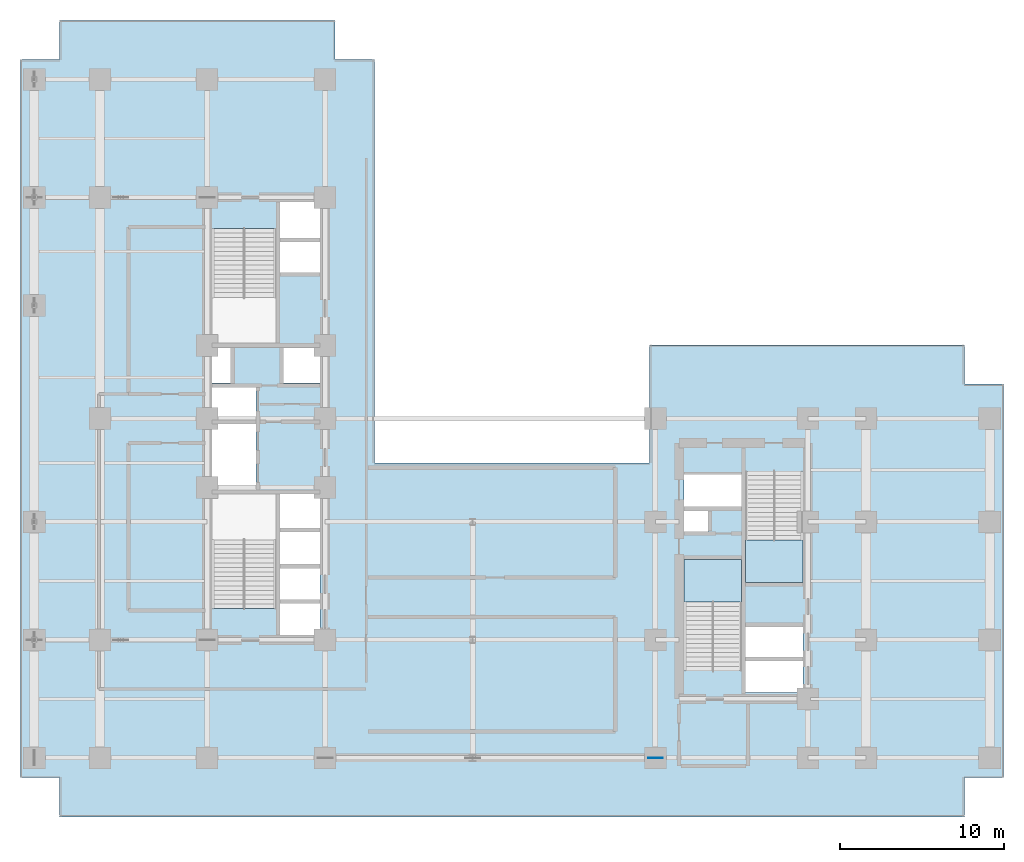
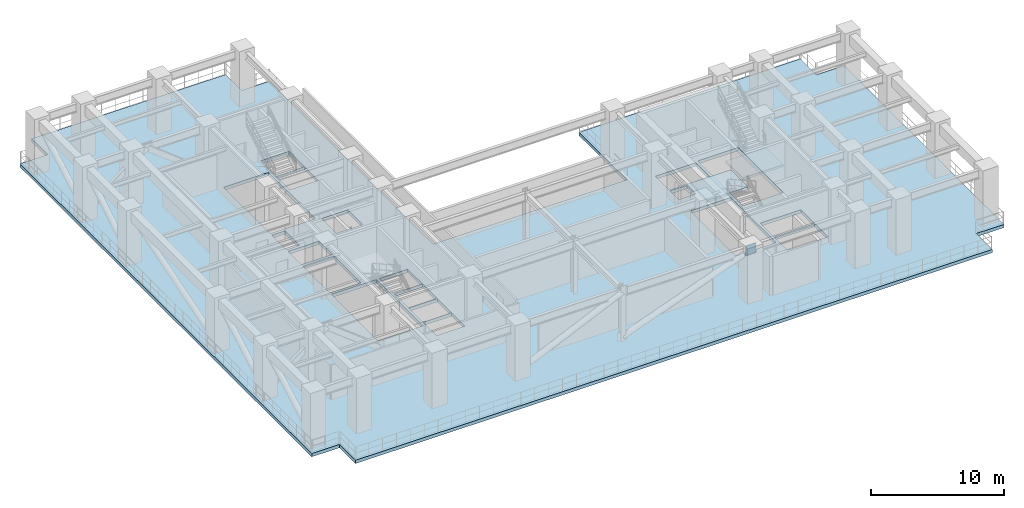
# One storey, part 5 of 15: 3 slabs, 1 plate, 2 elements without a shape of their own.
"""IFC4 building model written with IfcOpenShell, lengths in metres."""

import ifcopenshell
import ifcopenshell.guid

model = None  # the IFC model being written
_history = None  # IfcOwnerHistory: only IFC2X3 demands one
_inside = {}  # id of a spatial element -> (the spatial element, [elements in it])
_under = {}  # id of a project, library or spatial element -> (it, [spatial elements below it])
_declared = {}  # id of a project -> (the project, [libraries it declares])
_typed = {}  # id of a type object -> (the type object, [elements of that type])
_made_of = {}  # id of a material, layer set ... -> (it, [elements and type objects made of it])


def new_model(schema):
    """Start an empty IFC model of exactly this schema.

    Asked for "IFC4X3", IfcOpenShell would pick the latest addendum, in which some entities
    have other attributes; the version numbers below select the first issue.
    IFC2X3 requires an IfcOwnerHistory on every rooted entity: one is made here for all.
    """
    global model, _history
    if schema == "IFC4X3":
        model = ifcopenshell.file(schema_version=(4, 3, 0, 0))
    else:
        model = ifcopenshell.file(schema=schema)
    _inside.clear()
    _under.clear()
    _declared.clear()
    _typed.clear()
    _made_of.clear()
    _history = None
    if model.schema == "IFC2X3":
        org = make("IfcOrganization", Name="unknown")
        user = make(
            "IfcPersonAndOrganization",
            ThePerson=make("IfcPerson", FamilyName="unknown"),
            TheOrganization=org,
        )
        app = make(
            "IfcApplication",
            ApplicationDeveloper=org,
            Version="unknown",
            ApplicationFullName="unknown",
            ApplicationIdentifier="unknown",
        )
        _history = make(
            "IfcOwnerHistory",
            OwningUser=user,
            OwningApplication=app,
            ChangeAction="ADDED",
            CreationDate=0,
        )
    return model


def make(cls, **values):
    """One entity of the class cls with the attributes given. An attribute that is None is left unset."""
    return model.create_entity(
        cls, **{name: value for name, value in values.items() if value is not None}
    )


def entity(cls, *values):
    """Any entity or typed value of the class cls, its attributes in the order of the schema. None: left unset."""
    e = model.create_entity(cls)
    for i, value in enumerate(values):
        if value is not None:
            e[i] = value
    return e


def rooted(cls, **values):
    """An entity with a GlobalId (a new one), such as an element, a storey or a relation."""
    return make(cls, GlobalId=ifcopenshell.guid.new(), OwnerHistory=_history, **values)


def si_unit(unit_type, name, prefix=None):
    """IfcSIUnit, for example si_unit("LENGTHUNIT", "METRE", prefix="MILLI")."""
    return make("IfcSIUnit", UnitType=unit_type, Prefix=prefix, Name=name)


def converted_unit(unit_type, name, factor, base, dimensions=None, offset=None):
    """IfcConversionBasedUnit, such as the inch: factor (a typed value) times the base unit."""
    return make(
        "IfcConversionBasedUnit"
        if offset is None
        else "IfcConversionBasedUnitWithOffset",
        ConversionOffset=offset,
        Dimensions=None
        if dimensions is None
        else entity("IfcDimensionalExponents", *dimensions),
        UnitType=unit_type,
        Name=name,
        ConversionFactor=make(
            "IfcMeasureWithUnit", ValueComponent=factor, UnitComponent=base
        ),
    )


def assignment(units):
    """IfcUnitAssignment: the units of a project."""
    return None if units is None else make("IfcUnitAssignment", Units=units)


def point(xyz):
    """IfcCartesianPoint."""
    return None if xyz is None else make("IfcCartesianPoint", Coordinates=xyz)


def direction(xyz):
    """IfcDirection."""
    return None if xyz is None else make("IfcDirection", DirectionRatios=xyz)


def frame(location, z_axis=None, x_axis=None):
    """IfcAxis2Placement3D, a coordinate frame: its origin and axes. An axis left out is left unset."""
    return make(
        "IfcAxis2Placement3D",
        Location=point(location),
        Axis=direction(z_axis),
        RefDirection=direction(x_axis),
    )


def frame_2d(location, x_axis=None):
    """IfcAxis2Placement2D, a coordinate frame in the plane: its origin and x axis."""
    return make(
        "IfcAxis2Placement2D", Location=point(location), RefDirection=direction(x_axis)
    )


def origin_with_axes():
    """The frame at (0, 0, 0) with the z axis (0, 0, 1) and the x axis (1, 0, 0) written out."""
    return frame((0.0, 0.0, 0.0), z_axis=(0.0, 0.0, 1.0), x_axis=(1.0, 0.0, 0.0))


def origin_2d_with_axis():
    """The frame at (0, 0) in the plane with the x axis (1, 0) written out."""
    return frame_2d((0.0, 0.0), x_axis=(1.0, 0.0))


def place(relative_to, where):
    """IfcLocalPlacement: puts the frame where relative to a parent placement (None: the world)."""
    return make(
        "IfcLocalPlacement", PlacementRelTo=relative_to, RelativePlacement=where
    )


def context(
    kind, dimensions, precision=None, world=None, true_north=None, identifier=None
):
    """IfcGeometricRepresentationContext, for example the 3D "Model" context."""
    return make(
        "IfcGeometricRepresentationContext",
        ContextIdentifier=identifier,
        ContextType=kind,
        CoordinateSpaceDimension=dimensions,
        Precision=precision,
        WorldCoordinateSystem=world,
        TrueNorth=true_north,
    )


def subcontext(parent, identifier, kind, view, scale=None):
    """IfcGeometricRepresentationSubContext, for example "Body" below "Model"."""
    return make(
        "IfcGeometricRepresentationSubContext",
        ContextIdentifier=identifier,
        ContextType=kind,
        ParentContext=parent,
        TargetScale=scale,
        TargetView=view,
    )


def project(units=None, contexts=None):
    """IfcProject with its units and contexts."""
    return rooted(
        "IfcProject",
        Name="project",
        RepresentationContexts=contexts,
        UnitsInContext=assignment(units),
    )


def spatial(cls, under=None, at=None, **own):
    """A site, building, storey or space (cls), placed at a placement, below another one or the project."""
    s = rooted(cls, ObjectPlacement=at, **own)
    if under is not None:
        _under.setdefault(under.id(), (under, []))[1].append(s)
    return s


def polyline(points):
    """IfcPolyline through the points."""
    return make("IfcPolyline", Points=[point(p) for p in points])


def profile(cls, at=None, kind="AREA", **sizes):
    """A parametric profile (cls). Its sizes go by their IFC names, for example OverallWidth=200.0."""
    return make(cls, ProfileType=kind, Position=at, **sizes)


def rectangle(**sizes):
    """IfcRectangleProfileDef."""
    return profile("IfcRectangleProfileDef", **sizes)


def outline(outer, holes=None, kind="AREA"):
    """IfcArbitraryClosedProfileDef: a profile drawn as a closed curve; with holes, ...WithVoids."""
    if holes is None:
        return make("IfcArbitraryClosedProfileDef", ProfileType=kind, OuterCurve=outer)
    return make(
        "IfcArbitraryProfileDefWithVoids",
        ProfileType=kind,
        OuterCurve=outer,
        InnerCurves=holes,
    )


def extrude(swept, where, along, depth):
    """IfcExtrudedAreaSolid: the profile swept, set in the frame where, extruded along a direction by depth."""
    return make(
        "IfcExtrudedAreaSolid",
        SweptArea=swept,
        Position=where,
        ExtrudedDirection=direction(along),
        Depth=depth,
    )


def shape(context_of_items, identifier, shape_type, items):
    """IfcShapeRepresentation: the items that make up one representation, for example the "Body"."""
    return make(
        "IfcShapeRepresentation",
        ContextOfItems=context_of_items,
        RepresentationIdentifier=identifier,
        RepresentationType=shape_type,
        Items=items,
    )


def material(Name=None, Category=None):
    """IfcMaterial."""
    return make("IfcMaterial", Name=Name, Category=Category)


def layer(
    of_material, thickness, ventilated=None, Name=None, Category=None, Priority=None
):
    """IfcMaterialLayer: one layer of a wall or slab, of a material (None: an air gap)."""
    return make(
        "IfcMaterialLayer",
        Material=of_material,
        LayerThickness=thickness,
        IsVentilated=ventilated,
        Name=Name,
        Category=Category,
        Priority=Priority,
    )


def layer_set(layers, Name=None):
    """IfcMaterialLayerSet."""
    return make("IfcMaterialLayerSet", MaterialLayers=layers, LayerSetName=Name)


def made_of(thing, what):
    """Note that an element or type object is made of a material, layer set ...; save() writes the relation."""
    if what is not None:
        _made_of.setdefault(what.id(), (what, []))[1].append(thing)
    return thing


def type_object(cls, material=None, **own):
    """A type object (cls), such as IfcWallType, which elements share."""
    return made_of(rooted(cls, **own), material)


def element(
    cls,
    number,
    at=None,
    inside=None,
    cuts=None,
    type_object=None,
    material=None,
    context=None,
    identifier="Body",
    shape_type=None,
    held_by="IfcProductDefinitionShape",
    body=None,
    shapes=None,
    **own,
):
    """One element of the class cls, such as IfcWall. Its Tag is "e" and its number.

    at: its placement. inside: the storey or other place that contains it. cuts: it is an
    opening in that element (IfcRelVoidsElement). A single representation is given by context,
    identifier, shape_type and body (its items); several are given by shapes. held_by: the class
    of the entity that holds the representations. save() writes the other relations.
    """
    e = rooted(cls, Tag="e%d" % number, ObjectPlacement=at, **own)
    if body is not None:
        shapes = [shape(context, identifier, shape_type, body)]
    if shapes is not None:
        e.Representation = make(held_by, Representations=shapes)
    if inside is not None:
        _inside.setdefault(inside.id(), (inside, []))[1].append(e)
    if cuts is not None:
        rooted(
            "IfcRelVoidsElement", RelatingBuildingElement=cuts, RelatedOpeningElement=e
        )
    if type_object is not None:
        _typed.setdefault(type_object.id(), (type_object, []))[1].append(e)
    return made_of(e, material)


def aggregate(whole, parts):
    """IfcRelAggregates: a whole, such as a stair, and the parts it consists of."""
    return rooted("IfcRelAggregates", RelatingObject=whole, RelatedObjects=parts)


def save(model, path):
    """Write the relations noted so far, then the file.

    IfcRelAggregates (storeys below a building ...), IfcRelContainedInSpatialStructure (elements
    in a storey), IfcRelDefinesByType, IfcRelAssociatesMaterial and IfcRelDeclares: one each for
    every whole, place, type object, material and project.
    """
    for whole, parts in _under.values():
        aggregate(whole, parts)
    for where, things in _inside.values():
        rooted(
            "IfcRelContainedInSpatialStructure",
            RelatedElements=things,
            RelatingStructure=where,
        )
    for kind, things in _typed.values():
        rooted("IfcRelDefinesByType", RelatedObjects=things, RelatingType=kind)
    for what, things in _made_of.values():
        rooted("IfcRelAssociatesMaterial", RelatedObjects=things, RelatingMaterial=what)
    for by, libraries in _declared.values():
        rooted("IfcRelDeclares", RelatingContext=by, RelatedDefinitions=libraries)
    model.write(path)


model = new_model("IFC4")

# Units and contexts
model_context = context("Model", 3, precision=1e-05, world=origin_with_axes(), true_north=direction((0.0, 1.0)))
body_context = subcontext(model_context, "Body", "Model", "MODEL_VIEW")
ifc_project = project(units=[si_unit("LENGTHUNIT", "METRE"), si_unit("AREAUNIT", "SQUARE_METRE"), si_unit("VOLUMEUNIT", "CUBIC_METRE"), converted_unit("PLANEANGLEUNIT", "DEGREE", entity("IfcPlaneAngleMeasure", 0.017453292519943295), si_unit("PLANEANGLEUNIT", "RADIAN"), dimensions=[0, 0, 0, 0, 0, 0, 0]), si_unit("MASSUNIT", "GRAM", prefix="KILO"), si_unit("THERMODYNAMICTEMPERATUREUNIT", "KELVIN")], contexts=[model_context])

# Site, building, storey
site_placement = place(None, origin_with_axes())
site = spatial("IfcSite", under=ifc_project, at=site_placement, CompositionType="ELEMENT")
building_placement = place(site_placement, origin_with_axes())
building = spatial("IfcBuilding", under=site, at=building_placement, Name="Varnlund Millrace Tower", CompositionType="ELEMENT")
storey_placement = place(building_placement, frame((0.0, 0.0, 79.5), z_axis=(0.0, 0.0, 1.0), x_axis=(1.0, 0.0, 0.0)))
storey = spatial("IfcBuildingStorey", under=building, at=storey_placement, Name="L19", CompositionType="ELEMENT", Elevation=79.5)

# Slab
ifc_material_1 = material(Name="Concrete C70/85", Category="concrete")
ifc_layer_1 = layer(ifc_material_1, 0.3, Name="Concrete C70/85")
ifc_layer_set_1 = layer_set([ifc_layer_1], Name="Concrete C70/85")
slab_type_1 = type_object("IfcSlabType", Name="Type-Deck-Plate-Transfer-300", PredefinedType="FLOOR", material=ifc_layer_set_1)
slab_1_placement = place(storey_placement, frame((0.0, 0.0, -0.3), z_axis=(0.0, 0.0, 1.0), x_axis=(1.0, 0.0, 0.0)))
element("IfcSlab", 1, at=slab_1_placement, inside=storey, type_object=slab_type_1, Name="Type-Deck-Plate-Transfer-300", PredefinedType="FLOOR", context=body_context, shape_type="SweptSolid", body=[
    extrude(outline(polyline([(21.6, 21.6), (21.6, 46.2), (19.2, 46.2), (19.2, 48.6), (2.4, 48.6), (2.4, 46.2), (0.0, 46.2), (0.0, 2.4), (2.4, 2.4), (2.4, 0.0), (57.6, 0.0), (57.6, 2.4), (60.0, 2.4), (60.0, 26.4), (57.6, 26.4), (57.6, 28.8), (38.4, 28.8), (38.4, 21.6), (21.6, 21.6)]), holes=[polyline([(18.3, 11.1), (15.84, 11.1), (15.84, 13.1), (18.3, 13.1), (18.3, 11.1)]), polyline([(18.3, 13.16), (15.84, 13.16), (15.84, 15.24), (18.3, 15.24), (18.3, 13.16)]), polyline([(15.6, 12.715), (11.7, 12.715), (11.7, 19.7), (15.6, 19.7), (15.6, 12.715)]), polyline([(18.3, 15.34), (15.84, 15.34), (15.84, 17.46), (18.3, 17.46), (18.3, 15.34)]), polyline([(18.3, 17.52), (15.84, 17.52), (15.84, 19.7), (18.3, 19.7), (18.3, 17.52)]), polyline([(14.38, 23.98), (14.38, 19.94), (11.7, 19.94), (11.7, 23.98), (14.38, 23.98)]), polyline([(11.7, 24.24), (11.7, 26.2), (14.38, 26.2), (14.38, 24.24), (11.7, 24.24)]), polyline([(11.7, 26.46), (11.7, 28.65), (12.84, 28.65), (12.84, 26.46), (11.7, 26.46)]), polyline([(15.6, 28.9), (11.7, 28.9), (11.7, 35.885), (15.6, 35.885), (15.6, 28.9)]), polyline([(47.75, 7.6), (44.25, 7.6), (44.25, 9.6), (47.75, 9.6), (47.75, 7.6)]), polyline([(47.75, 9.66), (44.25, 9.66), (44.25, 11.68), (47.75, 11.68), (47.75, 9.66)]), polyline([(40.5, 8.915), (40.5, 15.7), (44.0, 15.7), (44.0, 8.915), (40.5, 8.915)]), polyline([(44.25, 14.3), (44.25, 21.085), (47.75, 21.085), (47.75, 14.3), (44.25, 14.3)]), polyline([(41.95, 17.42), (40.5, 17.42), (40.5, 18.72), (41.95, 18.72), (41.95, 17.42)]), polyline([(44.0, 18.88), (40.5, 18.88), (40.5, 20.94), (44.0, 20.94), (44.0, 18.88)]), polyline([(18.3, 26.46), (16.04, 26.46), (16.04, 28.65), (18.3, 28.65), (18.3, 26.46)]), polyline([(15.84, 33.12), (15.84, 35.18), (18.3, 35.18), (18.3, 33.12), (15.84, 33.12)]), polyline([(15.84, 35.22), (15.84, 37.5), (18.3, 37.5), (18.3, 35.22), (15.84, 35.22)])]), origin_with_axes(), (0.0, 0.0, 1.0), 0.3),
])

# Plate
ifc_material_2 = material(Name="Steel ASTM A572 Grade 50", Category="steel")
ifc_layer_2 = layer(ifc_material_2, 0.04, Name="Steel ASTM A572 Grade 50")
ifc_layer_set_2 = layer_set([ifc_layer_2], Name="Steel ASTM A572 Grade 50")
plate_type = type_object("IfcPlateType", Name="Type-Gusset-Plate-900X900X40", PredefinedType="SHEET", material=ifc_layer_set_2)
plate_placement = place(storey_placement, frame((38.75, 3.6, 4.0), z_axis=(0.0, 0.0, 1.0), x_axis=(1.0, 0.0, 0.0)))
element("IfcPlate", 2, at=plate_placement, inside=storey, type_object=plate_type, Name="Type-Gusset-Plate-900X900X40", PredefinedType="SHEET", context=body_context, shape_type="SweptSolid", body=[
    extrude(rectangle(XDim=0.9, YDim=0.04, at=origin_2d_with_axis()), origin_with_axes(), (0.0, 0.0, 1.0), 0.9),
])

# Stair, slab
ifc_material_3 = material(Name="Concrete C50/60", Category="concrete")
stair_type = type_object("IfcStairType", Name="Type-Stair-Dogleg-165-510", PredefinedType="HALF_TURN_STAIR", material=ifc_material_3)
stair_1_placement = place(storey_placement, origin_with_axes())
stair_1 = element("IfcStair", 3, at=stair_1_placement, inside=storey, type_object=stair_type, Name="Type-Stair-Dogleg-165-510", PredefinedType="HALF_TURN_STAIR")
ifc_layer_3 = layer(ifc_material_3, 0.2, Name="Concrete C50/60")
ifc_layer_set_3 = layer_set([ifc_layer_3], Name="Concrete C50/60")
slab_type_2 = type_object("IfcSlabType", Name="Type-StairLanding-200", PredefinedType="LANDING", material=ifc_layer_set_3)
slab_2_placement = place(storey_placement, frame((0.0, 0.0, 2.35), z_axis=(0.0, 0.0, 1.0), x_axis=(1.0, 0.0, 0.0)))
slab_2 = element("IfcSlab", 4, at=slab_2_placement, type_object=slab_type_2, Name="ST-B1 landing 1", PredefinedType="LANDING", context=body_context, shape_type="SweptSolid", body=[
    extrude(outline(polyline([(44.0, 13.1), (44.0, 15.7), (40.5, 15.7), (40.5, 13.1), (44.0, 13.1)])), origin_with_axes(), (0.0, 0.0, 1.0), 0.2),
])
aggregate(stair_1, [slab_2])

stair_2_placement = place(storey_placement, origin_with_axes())
stair_2 = element("IfcStair", 5, at=stair_2_placement, inside=storey, type_object=stair_type, Name="Type-Stair-Dogleg-165-510", PredefinedType="HALF_TURN_STAIR")
slab_3_placement = place(storey_placement, frame((0.0, 0.0, 2.35), z_axis=(0.0, 0.0, 1.0), x_axis=(1.0, 0.0, 0.0)))
slab_3 = element("IfcSlab", 6, at=slab_3_placement, type_object=slab_type_2, Name="ST-B2 landing 1", PredefinedType="LANDING", context=body_context, shape_type="SweptSolid", body=[
    extrude(outline(polyline([(44.25, 16.9), (44.25, 14.3), (47.75, 14.3), (47.75, 16.9), (44.25, 16.9)])), origin_with_axes(), (0.0, 0.0, 1.0), 0.2),
])
aggregate(stair_2, [slab_3])

save(model, "model.ifc")
